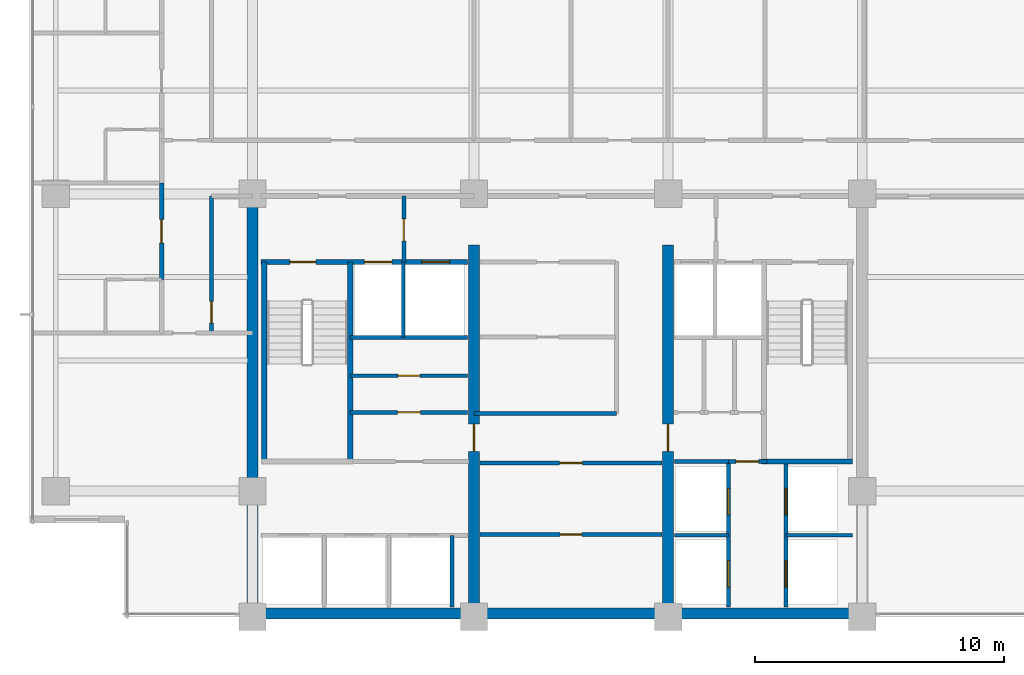
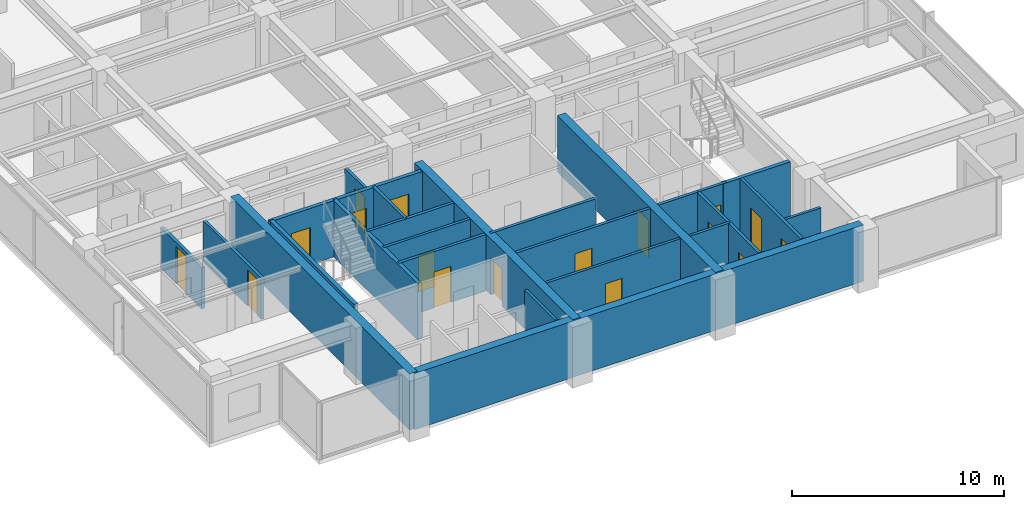
# One storey, part 7 of 14: 25 walls, 17 doors, 17 openings.
"""IFC4 building model written with IfcOpenShell, lengths in metres."""

from ifc_helpers import new_model, si_unit, direction, frame, frame_2d, origin, place, context, subcontext, project, spatial, rectangle, extrude, material, layer, layer_set, type_object, element, fill, save


model = new_model("IFC4")

# Units and contexts
model_context = context("Model", 3, precision=1e-05, world=origin(), true_north=direction((0.0, 1.0)))
body_context = subcontext(model_context, "Body", "Model", "MODEL_VIEW")
ifc_project = project(units=[si_unit("LENGTHUNIT", "METRE"), si_unit("AREAUNIT", "SQUARE_METRE"), si_unit("VOLUMEUNIT", "CUBIC_METRE"), si_unit("PLANEANGLEUNIT", "RADIAN"), si_unit("MASSUNIT", "GRAM", prefix="KILO")], contexts=[model_context])

# Site, building, storey
site_placement = place(None, origin())
site = spatial("IfcSite", under=ifc_project, at=site_placement, CompositionType="ELEMENT")
building_placement = place(site_placement, origin())
building = spatial("IfcBuilding", under=site, at=building_placement, Name="Qalmaran Belvedere Hotel", CompositionType="ELEMENT")
storey_placement = place(building_placement, frame((0.0, 0.0, 152.60009765625)))
storey = spatial("IfcBuildingStorey", under=building, at=storey_placement, Name="L38", CompositionType="ELEMENT", Elevation=152.60009765625)

# Wall
ifc_material_1 = material(Name="Concrete C50/60", Category="concrete")
ifc_layer_1 = layer(ifc_material_1, 0.449951171875, Name="Concrete C50/60")
ifc_layer_set_1 = layer_set([ifc_layer_1], Name="Concrete C50/60")
wall_type_1 = type_object("IfcWallType", Name="WL-CORE-450-C50", PredefinedType="SHEAR", material=ifc_layer_set_1)
wall_1_placement = place(storey_placement, frame((20.300048828125, 3.5, 0.0), z_axis=(0.0, 0.0, 1.0), x_axis=(0.0, 1.0, 0.0)))
element("IfcWall", 1, at=wall_1_placement, inside=storey, type_object=wall_type_1, Name="L38 West Core Shear Wall", PredefinedType="SHEAR", context=body_context, shape_type="SweptSolid", body=[
    extrude(rectangle(XDim=16.89990234375, YDim=0.449951171875, at=frame_2d((8.449951171875, 0.0))), origin(), (0.0, 0.0, 1.0), 3.25),
])

# Wall, opening, door
wall_2_placement = place(storey_placement, frame((29.199951171875, 3.5, 0.0), z_axis=(0.0, 0.0, 1.0), x_axis=(0.0, 1.0, 0.0)))
wall_2 = element("IfcWall", 2, at=wall_2_placement, inside=storey, type_object=wall_type_1, Name="L38 Core West Spine Shear Wall", PredefinedType="SHEAR", context=body_context, shape_type="SweptSolid", body=[
    extrude(rectangle(XDim=14.949951171875, YDim=0.449951171875, at=frame_2d((7.47509765625, 0.0))), origin(), (0.0, 0.0, 1.0), 3.25),
])
opening_1_placement = place(wall_2_placement, frame((7.75, 0.0, 0.0), z_axis=(0.0, 0.0, 1.0), x_axis=(-1.0, 0.0, 0.0)))
opening_1 = element("IfcOpeningElement", 3, at=opening_1_placement, cuts=wall_2, Name="Opening FD90", PredefinedType="OPENING", context=body_context, shape_type="SweptSolid", body=[
    extrude(rectangle(XDim=1.10009765625, YDim=2.14990234375, at=frame_2d((0.550048828125, 1.074951171875))), frame((0.0, 0.23486328125, 0.0), z_axis=(0.0, -1.0, 0.0), x_axis=(1.0, 0.0, 0.0)), (0.0, 0.0, 1.0), 0.469970703125),
])
ifc_material_2 = material(Name="Steel S355JR", Category="steel")
door_type_1 = type_object("IfcDoorType", Name="DR-FD90-1100X2150", OperationType="NOTDEFINED", PredefinedType="DOOR", material=ifc_material_2)
door_1_placement = place(opening_1_placement, origin())
door_1 = element("IfcDoor", 4, at=door_1_placement, inside=storey, type_object=door_type_1, Name="L38 Core West Cross-Lobby Door", OperationType="SINGLE_SWING_LEFT", OverallHeight=2.14990234375, OverallWidth=1.10009765625, PredefinedType="DOOR", context=body_context, shape_type="SweptSolid", body=[
    extrude(rectangle(XDim=1.10009765625, YDim=2.14990234375, at=frame_2d((0.550048828125, 1.074951171875))), frame((0.0, 0.02490234375, 0.0), z_axis=(0.0, -1.0, 0.0), x_axis=(1.0, 0.0, 0.0)), (0.0, 0.0, 1.0), 0.050048828125),
])
fill(opening_1, door_1)

wall_3_placement = place(storey_placement, frame((37.0, 3.5, 0.0), z_axis=(0.0, 0.0, 1.0), x_axis=(0.0, 1.0, 0.0)))
wall_3 = element("IfcWall", 5, at=wall_3_placement, inside=storey, type_object=wall_type_1, Name="L38 Core East Spine Shear Wall", PredefinedType="SHEAR", context=body_context, shape_type="SweptSolid", body=[
    extrude(rectangle(XDim=14.949951171875, YDim=0.449951171875, at=frame_2d((7.47509765625, 0.0))), origin(), (0.0, 0.0, 1.0), 3.25),
])
opening_2_placement = place(wall_3_placement, frame((6.64990234375, 0.0, 0.0)))
opening_2 = element("IfcOpeningElement", 6, at=opening_2_placement, cuts=wall_3, Name="Opening FD90", PredefinedType="OPENING", context=body_context, shape_type="SweptSolid", body=[
    extrude(rectangle(XDim=1.10009765625, YDim=2.14990234375, at=frame_2d((0.550048828125, 1.074951171875))), frame((0.0, 0.23486328125, 0.0), z_axis=(0.0, -1.0, 0.0), x_axis=(1.0, 0.0, 0.0)), (0.0, 0.0, 1.0), 0.469970703125),
])
door_2_placement = place(opening_2_placement, origin())
door_2 = element("IfcDoor", 7, at=door_2_placement, inside=storey, type_object=door_type_1, Name="L38 Core East Cross-Lobby Door", OperationType="SINGLE_SWING_RIGHT", OverallHeight=2.14990234375, OverallWidth=1.10009765625, PredefinedType="DOOR", context=body_context, shape_type="SweptSolid", body=[
    extrude(rectangle(XDim=1.10009765625, YDim=2.14990234375, at=frame_2d((0.550048828125, 1.074951171875))), frame((0.0, 0.02490234375, 0.0), z_axis=(0.0, -1.0, 0.0), x_axis=(1.0, 0.0, 0.0)), (0.0, 0.0, 1.0), 0.050048828125),
])
fill(opening_2, door_2)

# Walls
ifc_layer_2 = layer(ifc_material_1, 0.43994140625, Name="Concrete C50/60")
ifc_layer_set_2 = layer_set([ifc_layer_2], Name="Concrete C50/60")
wall_type_2 = type_object("IfcWallType", Name="WL-CORES-440-EXT", PredefinedType="SHEAR", material=ifc_layer_set_2)
wall_4_placement = place(storey_placement, frame((20.300048828125, 3.6298828125, 0.0), z_axis=(0.0, 0.0, 1.0), x_axis=(1.0, 0.0, 0.0)))
element("IfcWall", 8, at=wall_4_placement, inside=storey, type_object=wall_type_2, Name="L38 South Core Shear Wall", PredefinedType="SHEAR", context=body_context, shape_type="SweptSolid", body=[
    extrude(rectangle(XDim=24.5, YDim=0.43994140625, at=frame_2d((12.25, 0.0))), origin(), (0.0, 0.0, 1.0), 3.25),
])
ifc_material_3 = material(Name="Gypsum Stud Partition")
ifc_layer_3 = layer(ifc_material_3, 0.14990234375, Name="Gypsum Stud Partition")
ifc_layer_set_3 = layer_set([ifc_layer_3], Name="Gypsum Stud Partition")
wall_type_3 = type_object("IfcWallType", Name="WL-INT-150-EI120", PredefinedType="PARTITIONING", material=ifc_layer_set_3)
wall_5_placement = place(storey_placement, frame((26.360107421875, 14.719970703125, 0.0), z_axis=(0.0, 0.0, 1.0), x_axis=(0.0, 1.0, 0.0)))
element("IfcWall", 9, at=wall_5_placement, inside=storey, type_object=wall_type_3, Name="L38 Partition WL-FF1M-L38", PredefinedType="PARTITIONING", context=body_context, shape_type="SweptSolid", body=[
    extrude(rectangle(XDim=3.0400390625, YDim=0.14990234375, at=frame_2d((1.52001953125, 0.0))), origin(), (0.0, 0.0, 1.0), 3.25),
])
wall_6_placement = place(storey_placement, frame((28.320068359375, 3.89990234375, 0.0), z_axis=(0.0, 0.0, 1.0), x_axis=(0.0, 1.0, 0.0)))
element("IfcWall", 10, at=wall_6_placement, inside=storey, type_object=wall_type_3, Name="L38 Partition WL-POM3-L38", PredefinedType="PARTITIONING", context=body_context, shape_type="SweptSolid", body=[
    extrude(rectangle(XDim=2.880126953125, YDim=0.14990234375, at=frame_2d((1.43994140625, 0.0))), origin(), (0.0, 0.0, 1.0), 3.25),
])
wall_7_placement = place(storey_placement, frame((37.25, 6.780029296875, 0.0), z_axis=(0.0, 0.0, 1.0), x_axis=(1.0, 0.0, 0.0)))
element("IfcWall", 11, at=wall_7_placement, inside=storey, type_object=wall_type_3, Name="L38 Partition WL-PHMW-L38", PredefinedType="PARTITIONING", context=body_context, shape_type="SweptSolid", body=[
    extrude(rectangle(XDim=2.169921875, YDim=0.14990234375, at=frame_2d((1.0849609375, 0.0))), origin(), (0.0, 0.0, 1.0), 3.25),
])
wall_8_placement = place(storey_placement, frame((41.739990234375, 6.780029296875, 0.0), z_axis=(0.0, 0.0, 1.0), x_axis=(1.0, 0.0, 0.0)))
element("IfcWall", 12, at=wall_8_placement, inside=storey, type_object=wall_type_3, Name="L38 Partition WL-PHME-L38", PredefinedType="PARTITIONING", context=body_context, shape_type="SweptSolid", body=[
    extrude(rectangle(XDim=2.659912109375, YDim=0.14990234375, at=frame_2d((1.330078125, 0.0))), origin(), (0.0, 0.0, 1.0), 2.3798828125),
])

# Wall, opening, door
ifc_layer_4 = layer(ifc_material_3, 0.14990234375, Name="Gypsum Stud Partition")
ifc_layer_set_4 = layer_set([ifc_layer_4], Name="Gypsum Stud Partition")
wall_type_4 = type_object("IfcWallType", Name="WL-INT-150-EI60", PredefinedType="PARTITIONING", material=ifc_layer_set_4)
wall_9_placement = place(storey_placement, frame((24.219970703125, 13.18505859375, 0.0), z_axis=(0.0, 0.0, 1.0), x_axis=(1.0, 0.0, 0.0)))
wall_9 = element("IfcWall", 13, at=wall_9_placement, inside=storey, type_object=wall_type_4, Name="L38 Partition WL-L38-KWHM", PredefinedType="PARTITIONING", context=body_context, shape_type="SweptSolid", body=[
    extrude(rectangle(XDim=4.72998046875, YDim=0.14990234375, at=frame_2d((2.364990234375, 0.0))), origin(), (0.0, 0.0, 1.0), 3.25),
])
opening_3_placement = place(wall_9_placement, frame((1.925048828125, 0.0, 0.0)))
opening_3 = element("IfcOpeningElement", 14, at=opening_3_placement, cuts=wall_9, Name="Opening FD60B", PredefinedType="OPENING", context=body_context, shape_type="SweptSolid", body=[
    extrude(rectangle(XDim=0.8798828125, YDim=2.080078125, at=frame_2d((0.43994140625, 1.0400390625))), frame((0.0, 0.0849609375, 0.0), z_axis=(0.0, -1.0, 0.0), x_axis=(1.0, 0.0, 0.0)), (0.0, 0.0, 1.0), 0.169921875),
])
door_type_2 = type_object("IfcDoorType", Name="DR-FD60B-880X2080", OperationType="NOTDEFINED", PredefinedType="DOOR", material=ifc_material_2)
door_3_placement = place(opening_3_placement, origin())
door_3 = element("IfcDoor", 15, at=door_3_placement, inside=storey, type_object=door_type_2, Name="L38 Staff Core WC Door", OperationType="SINGLE_SWING_LEFT", OverallHeight=2.080078125, OverallWidth=0.8798828125, PredefinedType="DOOR", context=body_context, shape_type="SweptSolid", body=[
    extrude(rectangle(XDim=0.8798828125, YDim=2.080078125, at=frame_2d((0.43994140625, 1.0400390625))), frame((0.0, 0.02490234375, 0.0), z_axis=(0.0, -1.0, 0.0), x_axis=(1.0, 0.0, 0.0)), (0.0, 0.0, 1.0), 0.050048828125),
])
fill(opening_3, door_3)

wall_10_placement = place(storey_placement, frame((29.449951171875, 6.81494140625, 0.0), z_axis=(0.0, 0.0, 1.0), x_axis=(1.0, 0.0, 0.0)))
wall_10 = element("IfcWall", 16, at=wall_10_placement, inside=storey, type_object=wall_type_4, Name="L38 Partition WL-L38-KPLHM", PredefinedType="PARTITIONING", context=body_context, shape_type="SweptSolid", body=[
    extrude(rectangle(XDim=7.300048828125, YDim=0.14990234375, at=frame_2d((3.64990234375, 0.0))), origin(), (0.0, 0.0, 1.0), 3.25),
])
opening_4_placement = place(wall_10_placement, frame((4.08984375, 0.0, 0.0), z_axis=(0.0, 0.0, 1.0), x_axis=(-1.0, 0.0, 0.0)))
opening_4 = element("IfcOpeningElement", 17, at=opening_4_placement, cuts=wall_10, Name="Opening FD60B", PredefinedType="OPENING", context=body_context, shape_type="SweptSolid", body=[
    extrude(rectangle(XDim=0.8798828125, YDim=2.080078125, at=frame_2d((0.43994140625, 1.0400390625))), frame((0.0, 0.0849609375, 0.0), z_axis=(0.0, -1.0, 0.0), x_axis=(1.0, 0.0, 0.0)), (0.0, 0.0, 1.0), 0.169921875),
])
door_4_placement = place(opening_4_placement, origin())
door_4 = element("IfcDoor", 18, at=door_4_placement, inside=storey, type_object=door_type_2, Name="L38 Housekeeping and Linen Room Door", OperationType="SINGLE_SWING_RIGHT", OverallHeight=2.080078125, OverallWidth=0.8798828125, PredefinedType="DOOR", context=body_context, shape_type="SweptSolid", body=[
    extrude(rectangle(XDim=0.8798828125, YDim=2.080078125, at=frame_2d((0.43994140625, 1.0400390625))), frame((0.0, 0.02490234375, 0.0), z_axis=(0.0, -1.0, 0.0), x_axis=(1.0, 0.0, 0.0)), (0.0, 0.0, 1.0), 0.050048828125),
])
fill(opening_4, door_4)

ifc_layer_5 = layer(ifc_material_3, 0.159912109375, Name="Gypsum Stud Partition")
ifc_layer_set_5 = layer_set([ifc_layer_5], Name="Gypsum Stud Partition")
wall_type_5 = type_object("IfcWallType", Name="WL-INT-160-EI120", PredefinedType="PARTITIONING", material=ifc_layer_set_5)
wall_11_placement = place(storey_placement, frame((26.3798828125, 17.760009765625, 0.0), z_axis=(0.0, 0.0, 1.0), x_axis=(0.0, 1.0, 0.0)))
wall_11 = element("IfcWall", 19, at=wall_11_placement, inside=storey, type_object=wall_type_5, Name="L38 Partition WL-FFSV1-L38", PredefinedType="PARTITIONING", context=body_context, shape_type="SweptSolid", body=[
    extrude(rectangle(XDim=2.659912109375, YDim=0.159912109375, at=frame_2d((1.330078125, 0.0))), origin(), (0.0, 0.0, 1.0), 2.69189453125),
])
opening_5_placement = place(wall_11_placement, frame((0.85009765625, 0.0, 0.0)))
opening_5 = element("IfcOpeningElement", 20, at=opening_5_placement, cuts=wall_11, Name="Opening FD60B", PredefinedType="OPENING", context=body_context, shape_type="SweptSolid", body=[
    extrude(rectangle(XDim=0.8798828125, YDim=2.080078125, at=frame_2d((0.43994140625, 1.0400390625))), frame((0.0, 0.08984375, 0.0), z_axis=(0.0, -1.0, 0.0), x_axis=(1.0, 0.0, 0.0)), (0.0, 0.0, 1.0), 0.179931640625),
])
door_5_placement = place(opening_5_placement, origin())
door_5 = element("IfcDoor", 21, at=door_5_placement, inside=storey, type_object=door_type_2, Name="L38 Service Lobby West Door", OperationType="SINGLE_SWING_LEFT", OverallHeight=2.080078125, OverallWidth=0.8798828125, PredefinedType="DOOR", context=body_context, shape_type="SweptSolid", body=[
    extrude(rectangle(XDim=0.8798828125, YDim=2.080078125, at=frame_2d((0.43994140625, 1.0400390625))), frame((0.0, 0.02490234375, 0.0), z_axis=(0.0, -1.0, 0.0), x_axis=(1.0, 0.0, 0.0)), (0.0, 0.0, 1.0), 0.050048828125),
])
fill(opening_5, door_5)

# Wall
wall_12_placement = place(storey_placement, frame((24.219970703125, 14.719970703125, 0.0), z_axis=(0.0, 0.0, 1.0), x_axis=(1.0, 0.0, 0.0)))
element("IfcWall", 22, at=wall_12_placement, inside=storey, type_object=wall_type_5, Name="L38 Partition WL-FF1S-L38", PredefinedType="PARTITIONING", context=body_context, shape_type="SweptSolid", body=[
    extrude(rectangle(XDim=4.72998046875, YDim=0.159912109375, at=frame_2d((2.364990234375, 0.0))), origin(), (0.0, 0.0, 1.0), 3.25),
])

# Wall, openings, doors
wall_13_placement = place(storey_placement, frame((39.419921875, 3.89990234375, 0.0), z_axis=(0.0, 0.0, 1.0), x_axis=(0.0, 1.0, 0.0)))
wall_13 = element("IfcWall", 23, at=wall_13_placement, inside=storey, type_object=wall_type_5, Name="L38 Partition WL-PHW-L38", PredefinedType="PARTITIONING", context=body_context, shape_type="SweptSolid", body=[
    extrude(rectangle(XDim=5.840087890625, YDim=0.159912109375, at=frame_2d((2.919921875, 0.0))), origin(), (0.0, 0.0, 1.0), 3.25),
])
opening_6_placement = place(wall_13_placement, frame((1.860107421875, 0.0, 0.0), z_axis=(0.0, 0.0, 1.0), x_axis=(-1.0, 0.0, 0.0)))
opening_6 = element("IfcOpeningElement", 24, at=opening_6_placement, cuts=wall_13, Name="Opening LD-P2", PredefinedType="OPENING", context=body_context, shape_type="SweptSolid", body=[
    extrude(rectangle(XDim=1.06005859375, YDim=2.159912109375, at=frame_2d((0.530029296875, 1.080078125))), frame((0.0, 0.08984375, 0.0), z_axis=(0.0, -1.0, 0.0), x_axis=(1.0, 0.0, 0.0)), (0.0, 0.0, 1.0), 0.179931640625),
])
opening_7_placement = place(wall_13_placement, frame((4.760009765625, 0.0, 0.0), z_axis=(0.0, 0.0, 1.0), x_axis=(-1.0, 0.0, 0.0)))
opening_7 = element("IfcOpeningElement", 25, at=opening_7_placement, cuts=wall_13, Name="Opening LD-P2", PredefinedType="OPENING", context=body_context, shape_type="SweptSolid", body=[
    extrude(rectangle(XDim=1.06005859375, YDim=2.159912109375, at=frame_2d((0.530029296875, 1.080078125))), frame((0.0, 0.08984375, 0.0), z_axis=(0.0, -1.0, 0.0), x_axis=(1.0, 0.0, 0.0)), (0.0, 0.0, 1.0), 0.179931640625),
])
ifc_material_4 = material(Name="Stainless Steel 1.4401", Category="steel")
door_type_3 = type_object("IfcDoorType", Name="DR-LIFT-P2-1060X2160", OperationType="DOUBLE_DOOR_SLIDING", PredefinedType="DOOR", material=ifc_material_4)
door_6_placement = place(opening_6_placement, origin())
door_6 = element("IfcDoor", 26, at=door_6_placement, inside=storey, type_object=door_type_3, Name="L38 PH1 Lift Landing Door", OperationType="DOUBLE_DOOR_SLIDING", OverallHeight=2.159912109375, OverallWidth=1.06005859375, PredefinedType="DOOR", context=body_context, shape_type="SweptSolid", body=[
    extrude(rectangle(XDim=1.06005859375, YDim=2.159912109375, at=frame_2d((0.530029296875, 1.080078125))), frame((0.0, 0.02490234375, 0.0), z_axis=(0.0, -1.0, 0.0), x_axis=(1.0, 0.0, 0.0)), (0.0, 0.0, 1.0), 0.050048828125),
])
fill(opening_6, door_6)
door_7_placement = place(opening_7_placement, origin())
door_7 = element("IfcDoor", 27, at=door_7_placement, inside=storey, type_object=door_type_3, Name="L38 PH2 Lift Landing Door", OperationType="DOUBLE_DOOR_SLIDING", OverallHeight=2.159912109375, OverallWidth=1.06005859375, PredefinedType="DOOR", context=body_context, shape_type="SweptSolid", body=[
    extrude(rectangle(XDim=1.06005859375, YDim=2.159912109375, at=frame_2d((0.530029296875, 1.080078125))), frame((0.0, 0.02490234375, 0.0), z_axis=(0.0, -1.0, 0.0), x_axis=(1.0, 0.0, 0.0)), (0.0, 0.0, 1.0), 0.050048828125),
])
fill(opening_7, door_7)

wall_14_placement = place(storey_placement, frame((41.739990234375, 3.89990234375, 0.0), z_axis=(0.0, 0.0, 1.0), x_axis=(0.0, 1.0, 0.0)))
wall_14 = element("IfcWall", 28, at=wall_14_placement, inside=storey, type_object=wall_type_5, Name="L38 Partition WL-PHE-L38", PredefinedType="PARTITIONING", context=body_context, shape_type="SweptSolid", body=[
    extrude(rectangle(XDim=5.840087890625, YDim=0.159912109375, at=frame_2d((2.919921875, 0.0))), origin(), (0.0, 0.0, 1.0), 3.25),
])
opening_8_placement = place(wall_14_placement, frame((0.800048828125, 0.0, 0.0)))
opening_8 = element("IfcOpeningElement", 29, at=opening_8_placement, cuts=wall_14, Name="Opening LD-P2", PredefinedType="OPENING", context=body_context, shape_type="SweptSolid", body=[
    extrude(rectangle(XDim=1.06005859375, YDim=2.159912109375, at=frame_2d((0.530029296875, 1.080078125))), frame((0.0, 0.08984375, 0.0), z_axis=(0.0, -1.0, 0.0), x_axis=(1.0, 0.0, 0.0)), (0.0, 0.0, 1.0), 0.179931640625),
])
opening_9_placement = place(wall_14_placement, frame((3.699951171875, 0.0, 0.0)))
opening_9 = element("IfcOpeningElement", 30, at=opening_9_placement, cuts=wall_14, Name="Opening LD-P2", PredefinedType="OPENING", context=body_context, shape_type="SweptSolid", body=[
    extrude(rectangle(XDim=1.06005859375, YDim=2.159912109375, at=frame_2d((0.530029296875, 1.080078125))), frame((0.0, 0.08984375, 0.0), z_axis=(0.0, -1.0, 0.0), x_axis=(1.0, 0.0, 0.0)), (0.0, 0.0, 1.0), 0.179931640625),
])
door_8_placement = place(opening_8_placement, origin())
door_8 = element("IfcDoor", 31, at=door_8_placement, inside=storey, type_object=door_type_3, Name="L38 PH3 Lift Landing Door", OperationType="DOUBLE_DOOR_SLIDING", OverallHeight=2.159912109375, OverallWidth=1.06005859375, PredefinedType="DOOR", context=body_context, shape_type="SweptSolid", body=[
    extrude(rectangle(XDim=1.06005859375, YDim=2.159912109375, at=frame_2d((0.530029296875, 1.080078125))), frame((0.0, 0.02490234375, 0.0), z_axis=(0.0, -1.0, 0.0), x_axis=(1.0, 0.0, 0.0)), (0.0, 0.0, 1.0), 0.050048828125),
])
fill(opening_8, door_8)
door_9_placement = place(opening_9_placement, origin())
door_9 = element("IfcDoor", 32, at=door_9_placement, inside=storey, type_object=door_type_3, Name="L38 PH4 Lift Landing Door", OperationType="DOUBLE_DOOR_SLIDING", OverallHeight=2.159912109375, OverallWidth=1.06005859375, PredefinedType="DOOR", context=body_context, shape_type="SweptSolid", body=[
    extrude(rectangle(XDim=1.06005859375, YDim=2.159912109375, at=frame_2d((0.530029296875, 1.080078125))), frame((0.0, 0.02490234375, 0.0), z_axis=(0.0, -1.0, 0.0), x_axis=(1.0, 0.0, 0.0)), (0.0, 0.0, 1.0), 0.050048828125),
])
fill(opening_9, door_9)

# Wall
wall_15_placement = place(storey_placement, frame((37.25, 9.739990234375, 0.0), z_axis=(0.0, 0.0, 1.0), x_axis=(1.0, 0.0, 0.0)))
element("IfcWall", 33, at=wall_15_placement, inside=storey, type_object=wall_type_5, Name="L38 Partition WL-PHNW-L38", PredefinedType="PARTITIONING", context=body_context, shape_type="SweptSolid", body=[
    extrude(rectangle(XDim=2.169921875, YDim=0.159912109375, at=frame_2d((1.0849609375, 0.0))), origin(), (0.0, 0.0, 1.0), 3.25),
])

# Wall, opening, door
wall_16_placement = place(storey_placement, frame((39.419921875, 9.739990234375, 0.0), z_axis=(0.0, 0.0, 1.0), x_axis=(1.0, 0.0, 0.0)))
wall_16 = element("IfcWall", 34, at=wall_16_placement, inside=storey, type_object=wall_type_5, Name="L38 Partition WL-PHNL-L38", PredefinedType="PARTITIONING", context=body_context, shape_type="SweptSolid", body=[
    extrude(rectangle(XDim=1.56005859375, YDim=0.159912109375, at=frame_2d((0.780029296875, 0.0))), origin(), (0.0, 0.0, 1.0), 3.25),
])
opening_10_placement = place(wall_16_placement, frame((0.300048828125, 0.0, 0.0)))
opening_10 = element("IfcOpeningElement", 35, at=opening_10_placement, cuts=wall_16, Name="Opening FD60S1", PredefinedType="OPENING", context=body_context, shape_type="SweptSolid", body=[
    extrude(rectangle(XDim=0.919921875, YDim=2.080078125, at=frame_2d((0.4599609375, 1.0400390625))), frame((0.0, 0.08984375, 0.0), z_axis=(0.0, -1.0, 0.0), x_axis=(1.0, 0.0, 0.0)), (0.0, 0.0, 1.0), 0.179931640625),
])
ifc_material_5 = material(Name="Engineered Oak Veneer")
door_type_4 = type_object("IfcDoorType", Name="DR-FD60S-920X2080", OperationType="NOTDEFINED", PredefinedType="DOOR", material=ifc_material_5)
door_10_placement = place(opening_10_placement, origin())
door_10 = element("IfcDoor", 36, at=door_10_placement, inside=storey, type_object=door_type_4, Name="L38 High-Rise Lift Lobby Passage Door", OperationType="SINGLE_SWING_RIGHT", OverallHeight=2.080078125, OverallWidth=0.919921875, PredefinedType="DOOR", context=body_context, shape_type="SweptSolid", body=[
    extrude(rectangle(XDim=0.919921875, YDim=2.080078125, at=frame_2d((0.4599609375, 1.0400390625))), frame((0.0, 0.02490234375, 0.0), z_axis=(0.0, -1.0, 0.0), x_axis=(1.0, 0.0, 0.0)), (0.0, 0.0, 1.0), 0.050048828125),
])
fill(opening_10, door_10)

ifc_layer_6 = layer(ifc_material_3, 0.159912109375, Name="Gypsum Stud Partition")
ifc_layer_set_6 = layer_set([ifc_layer_6], Name="Gypsum Stud Partition")
wall_type_6 = type_object("IfcWallType", Name="WL-INT-160-EI60", PredefinedType="PARTITIONING", material=ifc_layer_set_6)
wall_17_placement = place(storey_placement, frame((24.219970703125, 11.719970703125, 0.0), z_axis=(0.0, 0.0, 1.0), x_axis=(1.0, 0.0, 0.0)))
wall_17 = element("IfcWall", 37, at=wall_17_placement, inside=storey, type_object=wall_type_6, Name="L38 Partition WL-L38-KWE1", PredefinedType="PARTITIONING", context=body_context, shape_type="SweptSolid", body=[
    extrude(rectangle(XDim=4.72998046875, YDim=0.159912109375, at=frame_2d((2.364990234375, 0.0))), origin(), (0.0, 0.0, 1.0), 3.25),
])
opening_11_placement = place(wall_17_placement, frame((1.905029296875, 0.0, 0.0)))
opening_11 = element("IfcOpeningElement", 38, at=opening_11_placement, cuts=wall_17, Name="Opening FD60S1", PredefinedType="OPENING", context=body_context, shape_type="SweptSolid", body=[
    extrude(rectangle(XDim=0.919921875, YDim=2.080078125, at=frame_2d((0.4599609375, 1.0400390625))), frame((0.0, 0.08984375, 0.0), z_axis=(0.0, -1.0, 0.0), x_axis=(1.0, 0.0, 0.0)), (0.0, 0.0, 1.0), 0.179931640625),
])
door_11_placement = place(opening_11_placement, origin())
door_11 = element("IfcDoor", 39, at=door_11_placement, inside=storey, type_object=door_type_4, Name="L38 Cleaner Supply Store Door", OperationType="SINGLE_SWING_RIGHT", OverallHeight=2.080078125, OverallWidth=0.919921875, PredefinedType="DOOR", context=body_context, shape_type="SweptSolid", body=[
    extrude(rectangle(XDim=0.919921875, YDim=2.080078125, at=frame_2d((0.4599609375, 1.0400390625))), frame((0.0, 0.02490234375, 0.0), z_axis=(0.0, -1.0, 0.0), x_axis=(1.0, 0.0, 0.0)), (0.0, 0.0, 1.0), 0.050048828125),
])
fill(opening_11, door_11)

wall_18_placement = place(storey_placement, frame((29.449951171875, 9.679931640625, 0.0), z_axis=(0.0, 0.0, 1.0), x_axis=(1.0, 0.0, 0.0)))
wall_18 = element("IfcWall", 40, at=wall_18_placement, inside=storey, type_object=wall_type_6, Name="L38 Partition WL-L38-KPLE1", PredefinedType="PARTITIONING", context=body_context, shape_type="SweptSolid", body=[
    extrude(rectangle(XDim=7.300048828125, YDim=0.159912109375, at=frame_2d((3.64990234375, 0.0))), origin(), (0.0, 0.0, 1.0), 3.25),
])
opening_12_placement = place(wall_18_placement, frame((4.10986328125, 0.0, 0.0), z_axis=(0.0, 0.0, 1.0), x_axis=(-1.0, 0.0, 0.0)))
opening_12 = element("IfcOpeningElement", 41, at=opening_12_placement, cuts=wall_18, Name="Opening FD60S1", PredefinedType="OPENING", context=body_context, shape_type="SweptSolid", body=[
    extrude(rectangle(XDim=0.919921875, YDim=2.080078125, at=frame_2d((0.4599609375, 1.0400390625))), frame((0.0, 0.08984375, 0.0), z_axis=(0.0, -1.0, 0.0), x_axis=(1.0, 0.0, 0.0)), (0.0, 0.0, 1.0), 0.179931640625),
])
door_12_placement = place(opening_12_placement, origin())
door_12 = element("IfcDoor", 42, at=door_12_placement, inside=storey, type_object=door_type_4, Name="L38 Guest Valet Supply Store Door", OperationType="SINGLE_SWING_LEFT", OverallHeight=2.080078125, OverallWidth=0.919921875, PredefinedType="DOOR", context=body_context, shape_type="SweptSolid", body=[
    extrude(rectangle(XDim=0.919921875, YDim=2.080078125, at=frame_2d((0.4599609375, 1.0400390625))), frame((0.0, 0.02490234375, 0.0), z_axis=(0.0, -1.0, 0.0), x_axis=(1.0, 0.0, 0.0)), (0.0, 0.0, 1.0), 0.050048828125),
])
fill(opening_12, door_12)

# Wall
wall_19_placement = place(storey_placement, frame((29.199951171875, 11.679931640625, 0.0), z_axis=(0.0, 0.0, 1.0), x_axis=(1.0, 0.0, 0.0)))
element("IfcWall", 43, at=wall_19_placement, inside=storey, type_object=wall_type_6, Name="L38 Partition WL-PMFS-L38", PredefinedType="PARTITIONING", context=body_context, shape_type="SweptSolid", body=[
    extrude(rectangle(XDim=5.719970703125, YDim=0.159912109375, at=frame_2d((2.85986328125, 0.0))), origin(), (0.0, 0.0, 1.0), 3.25),
])

# Wall, opening, door
wall_20_placement = place(storey_placement, frame((18.64990234375, 14.89990234375, 0.0), z_axis=(0.0, 0.0, 1.0), x_axis=(0.0, 1.0, 0.0)))
wall_20 = element("IfcWall", 44, at=wall_20_placement, inside=storey, type_object=wall_type_6, Name="L38 Partition WL-L38-WCL", PredefinedType="PARTITIONING", context=body_context, shape_type="SweptSolid", body=[
    extrude(rectangle(XDim=5.52001953125, YDim=0.159912109375, at=frame_2d((2.760009765625, 0.0))), origin(), (0.0, 0.0, 1.0), 2.3798828125),
])
opening_13_placement = place(wall_20_placement, frame((1.27978515625, 0.0, 0.0), z_axis=(0.0, 0.0, 1.0), x_axis=(-1.0, 0.0, 0.0)))
opening_13 = element("IfcOpeningElement", 45, at=opening_13_placement, cuts=wall_20, Name="Opening FD60B", PredefinedType="OPENING", context=body_context, shape_type="SweptSolid", body=[
    extrude(rectangle(XDim=0.8798828125, YDim=2.080078125, at=frame_2d((0.43994140625, 1.0400390625))), frame((0.0, 0.08984375, 0.0), z_axis=(0.0, -1.0, 0.0), x_axis=(1.0, 0.0, 0.0)), (0.0, 0.0, 1.0), 0.179931640625),
])
door_13_placement = place(opening_13_placement, origin())
door_13 = element("IfcDoor", 46, at=door_13_placement, inside=storey, type_object=door_type_2, Name="L38 West Closet Door", OperationType="SINGLE_SWING_RIGHT", OverallHeight=2.080078125, OverallWidth=0.8798828125, PredefinedType="DOOR", context=body_context, shape_type="SweptSolid", body=[
    extrude(rectangle(XDim=0.8798828125, YDim=2.080078125, at=frame_2d((0.43994140625, 1.0400390625))), frame((0.0, 0.02490234375, 0.0), z_axis=(0.0, -1.0, 0.0), x_axis=(1.0, 0.0, 0.0)), (0.0, 0.0, 1.0), 0.050048828125),
])
fill(opening_13, door_13)

ifc_layer_7 = layer(ifc_material_3, 0.179931640625, Name="Gypsum Stud Partition")
ifc_layer_set_7 = layer_set([ifc_layer_7], Name="Gypsum Stud Partition")
wall_type_7 = type_object("IfcWallType", Name="WL-INT-180-EI60", PredefinedType="PARTITIONING", material=ifc_layer_set_7)
wall_21_placement = place(storey_placement, frame((16.64990234375, 17.050048828125, 0.0), z_axis=(0.0, 0.0, 1.0), x_axis=(0.0, 1.0, 0.0)))
wall_21 = element("IfcWall", 47, at=wall_21_placement, inside=storey, type_object=wall_type_7, Name="L38 Partition WL-L38-WEC00", PredefinedType="PARTITIONING", context=body_context, shape_type="SweptSolid", body=[
    extrude(rectangle(XDim=3.88330078125, YDim=0.179931640625, at=frame_2d((1.941650390625, 0.0))), origin(), (0.0, 0.0, 1.0), 2.3798828125),
])
opening_14_placement = place(wall_21_placement, frame((1.466552734375, 0.0, 0.0)))
opening_14 = element("IfcOpeningElement", 48, at=opening_14_placement, cuts=wall_21, Name="Opening FD60", PredefinedType="OPENING", context=body_context, shape_type="SweptSolid", body=[
    extrude(rectangle(XDim=0.949951171875, YDim=2.14990234375, at=frame_2d((0.47509765625, 1.074951171875))), frame((0.0, 0.10009765625, 0.0), z_axis=(0.0, -1.0, 0.0), x_axis=(1.0, 0.0, 0.0)), (0.0, 0.0, 1.0), 0.199951171875),
])
door_type_5 = type_object("IfcDoorType", Name="DR-FD60-950X2150", OperationType="NOTDEFINED", PredefinedType="DOOR", material=ifc_material_5)
door_14_placement = place(opening_14_placement, origin())
door_14 = element("IfcDoor", 49, at=door_14_placement, inside=storey, type_object=door_type_5, Name="L38 W Wing Door 01", OperationType="SINGLE_SWING_LEFT", OverallHeight=2.14990234375, OverallWidth=0.949951171875, PredefinedType="DOOR", context=body_context, shape_type="SweptSolid", body=[
    extrude(rectangle(XDim=0.949951171875, YDim=2.14990234375, at=frame_2d((0.47509765625, 1.074951171875))), frame((0.0, 0.02490234375, 0.0), z_axis=(0.0, -1.0, 0.0), x_axis=(1.0, 0.0, 0.0)), (0.0, 0.0, 1.0), 0.050048828125),
])
fill(opening_14, door_14)

# Walls
ifc_layer_8 = layer(ifc_material_1, 0.2099609375, Name="Concrete C50/60")
ifc_layer_set_8 = layer_set([ifc_layer_8], Name="Concrete C50/60")
wall_type_8 = type_object("IfcWallType", Name="WL-STAIR-210-C50", PredefinedType="SHEAR", material=ifc_layer_set_8)
for number, where, z_axis, x_axis, name in (
    (50, (20.77490234375, 9.7451171875, 0.0), (0.0, 0.0, 1.0), (0.0, 1.0, 0.0), "L38 Stair ST-1 West Bearing Wall"),
    (51, (24.22509765625, 9.7451171875, 0.0), (0.0, 0.0, 1.0), (0.0, 1.0, 0.0), "L38 Stair ST-1 East Bearing Wall"),
):
    element("IfcWall", number, at=place(storey_placement, frame(where, z_axis=z_axis, x_axis=x_axis)), inside=storey, type_object=wall_type_8, Name=name, PredefinedType="SHEAR", context=body_context, shape_type="SweptSolid", body=[
        extrude(rectangle(XDim=8.009765625, YDim=0.2099609375, at=frame_2d((4.0048828125, 0.0))), origin(), (0.0, 0.0, 1.0), 3.25),
    ])

# Wall, openings, doors
wall_22_placement = place(storey_placement, frame((20.64990234375, 17.7548828125, 0.0), z_axis=(0.0, 0.0, 1.0), x_axis=(1.0, 0.0, 0.0)))
wall_22 = element("IfcWall", 52, at=wall_22_placement, inside=storey, type_object=wall_type_8, Name="L38 West Lobby and Stair ST-1 North Bearing Wall", PredefinedType="SHEAR", context=body_context, shape_type="SweptSolid", body=[
    extrude(rectangle(XDim=8.300048828125, YDim=0.2099609375, at=frame_2d((4.14990234375, 0.0))), origin(), (0.0, 0.0, 1.0), 3.25),
])
opening_15_placement = place(wall_22_placement, frame((2.199951171875, 0.0, 0.0), z_axis=(0.0, 0.0, 1.0), x_axis=(-1.0, 0.0, 0.0)))
opening_15 = element("IfcOpeningElement", 53, at=opening_15_placement, cuts=wall_22, Name="Opening FD90S2", PredefinedType="OPENING", context=body_context, shape_type="SweptSolid", body=[
    extrude(rectangle(XDim=1.050048828125, YDim=2.14990234375, at=frame_2d((0.52490234375, 1.074951171875))), frame((0.0, 0.114990234375, 0.0), z_axis=(0.0, -1.0, 0.0), x_axis=(1.0, 0.0, 0.0)), (0.0, 0.0, 1.0), 0.22998046875),
])
opening_16_placement = place(wall_22_placement, frame((4.14990234375, 0.0, 0.0)))
opening_16 = element("IfcOpeningElement", 54, at=opening_16_placement, cuts=wall_22, Name="Opening LD-FF", PredefinedType="OPENING", context=body_context, shape_type="SweptSolid", body=[
    extrude(rectangle(XDim=1.10009765625, YDim=2.179931640625, at=frame_2d((0.550048828125, 1.08984375))), frame((0.0, 0.114990234375, 0.0), z_axis=(0.0, -1.0, 0.0), x_axis=(1.0, 0.0, 0.0)), (0.0, 0.0, 1.0), 0.22998046875),
])
opening_17_placement = place(wall_22_placement, frame((6.449951171875, 0.0, 0.0)))
opening_17 = element("IfcOpeningElement", 55, at=opening_17_placement, cuts=wall_22, Name="Opening LD-SV", PredefinedType="OPENING", context=body_context, shape_type="SweptSolid", body=[
    extrude(rectangle(XDim=1.1201171875, YDim=2.199951171875, at=frame_2d((0.56005859375, 1.10009765625))), frame((0.0, 0.114990234375, 0.0), z_axis=(0.0, -1.0, 0.0), x_axis=(1.0, 0.0, 0.0)), (0.0, 0.0, 1.0), 0.22998046875),
])
door_type_6 = type_object("IfcDoorType", Name="DR-FD90S-1050X2150", OperationType="NOTDEFINED", PredefinedType="DOOR", material=ifc_material_2)
door_15_placement = place(opening_15_placement, origin())
door_15 = element("IfcDoor", 56, at=door_15_placement, inside=storey, type_object=door_type_6, Name="L38 Stair ST-1 Door", OperationType="SINGLE_SWING_LEFT", OverallHeight=2.14990234375, OverallWidth=1.050048828125, PredefinedType="DOOR", context=body_context, shape_type="SweptSolid", body=[
    extrude(rectangle(XDim=1.050048828125, YDim=2.14990234375, at=frame_2d((0.52490234375, 1.074951171875))), frame((0.0, 0.02490234375, 0.0), z_axis=(0.0, -1.0, 0.0), x_axis=(1.0, 0.0, 0.0)), (0.0, 0.0, 1.0), 0.050048828125),
])
fill(opening_15, door_15)
door_type_7 = type_object("IfcDoorType", Name="DR-LIFT-FF-1100X2180", OperationType="DOUBLE_DOOR_SLIDING", PredefinedType="DOOR", material=ifc_material_4)
door_16_placement = place(opening_16_placement, origin())
door_16 = element("IfcDoor", 57, at=door_16_placement, inside=storey, type_object=door_type_7, Name="L38 FF1 Lift Landing Door", OperationType="DOUBLE_DOOR_SLIDING", OverallHeight=2.179931640625, OverallWidth=1.10009765625, PredefinedType="DOOR", context=body_context, shape_type="SweptSolid", body=[
    extrude(rectangle(XDim=1.10009765625, YDim=2.179931640625, at=frame_2d((0.550048828125, 1.08984375))), frame((0.0, 0.02490234375, 0.0), z_axis=(0.0, -1.0, 0.0), x_axis=(1.0, 0.0, 0.0)), (0.0, 0.0, 1.0), 0.050048828125),
])
fill(opening_16, door_16)
door_type_8 = type_object("IfcDoorType", Name="DR-LIFT-SV-1120X2200", OperationType="DOUBLE_DOOR_SLIDING", PredefinedType="DOOR", material=ifc_material_4)
door_17_placement = place(opening_17_placement, origin())
door_17 = element("IfcDoor", 58, at=door_17_placement, inside=storey, type_object=door_type_8, Name="L38 SV1 Lift Landing Door", OperationType="DOUBLE_DOOR_SLIDING", OverallHeight=2.199951171875, OverallWidth=1.1201171875, PredefinedType="DOOR", context=body_context, shape_type="SweptSolid", body=[
    extrude(rectangle(XDim=1.1201171875, YDim=2.199951171875, at=frame_2d((0.56005859375, 1.10009765625))), frame((0.0, 0.02490234375, 0.0), z_axis=(0.0, -1.0, 0.0), x_axis=(1.0, 0.0, 0.0)), (0.0, 0.0, 1.0), 0.050048828125),
])
fill(opening_17, door_17)

# Wall
wall_23_placement = place(storey_placement, frame((40.75, 9.7451171875, 0.0), z_axis=(0.0, 0.0, 1.0), x_axis=(1.0, 0.0, 0.0)))
element("IfcWall", 59, at=wall_23_placement, inside=storey, type_object=wall_type_8, Name="L38 Stair ST-2 South Bearing Wall", PredefinedType="SHEAR", context=body_context, shape_type="SweptSolid", body=[
    extrude(rectangle(XDim=3.659912109375, YDim=0.2099609375, at=frame_2d((1.830078125, 0.0))), origin(), (0.0, 0.0, 1.0), 3.25),
])

save(model, "model.ifc")
